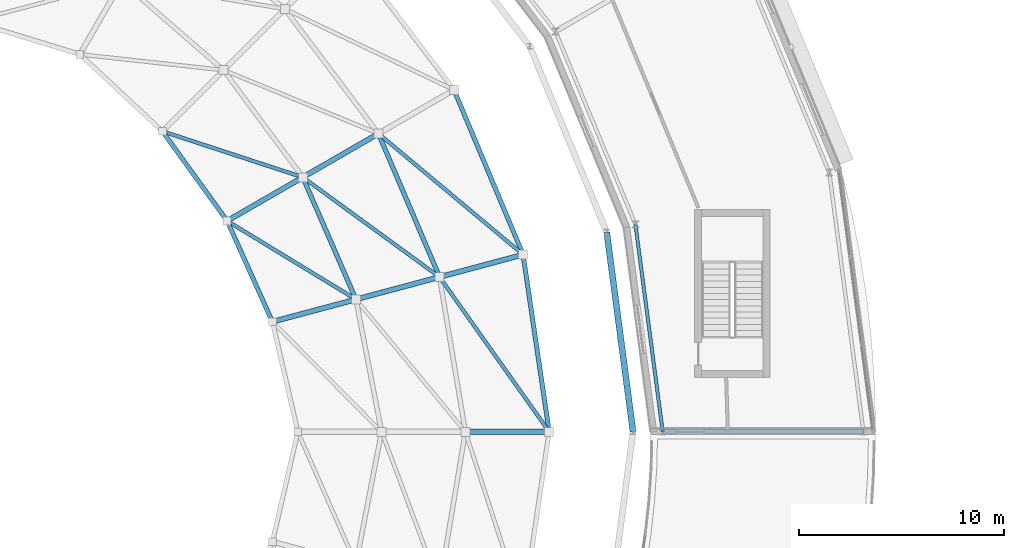
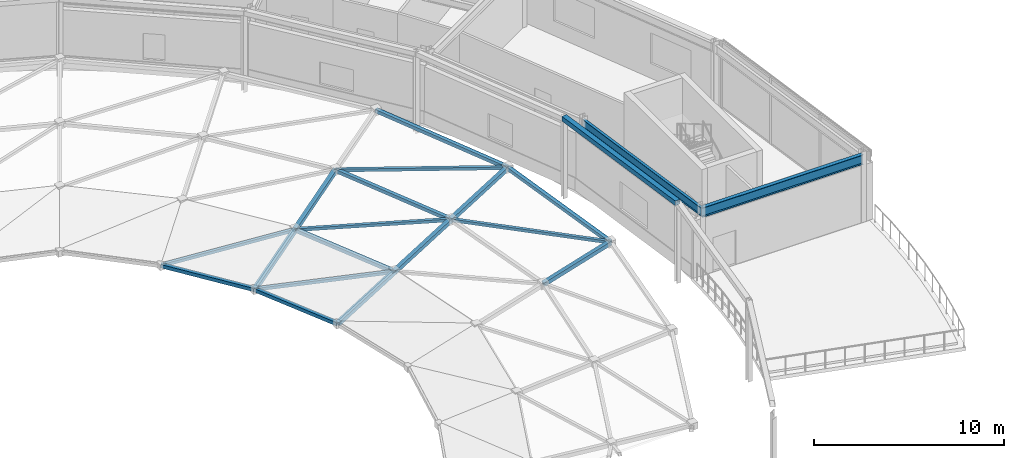
# One storey, part 18 of 89: 17 members, 3 beams.
"""IFC4 building model written with IfcOpenShell, lengths in metres."""

from ifc_helpers import new_model, si_unit, direction, frame, origin, origin_2d, place, context, subcontext, project, spatial, hollow_rectangle, i_section, extrude, material, material_profile, profile_set, type_object, element, save


model = new_model("IFC4")

# Units and contexts
model_context = context("Model", 3, precision=1e-05, world=origin(), true_north=direction((0.0, 1.0)))
body_context = subcontext(model_context, "Body", "Model", "MODEL_VIEW")
ifc_project = project(units=[si_unit("LENGTHUNIT", "METRE"), si_unit("AREAUNIT", "SQUARE_METRE"), si_unit("VOLUMEUNIT", "CUBIC_METRE"), si_unit("PLANEANGLEUNIT", "RADIAN"), si_unit("MASSUNIT", "GRAM", prefix="KILO")], contexts=[model_context])

# Site, building, storey
site_placement = place(None, origin())
site = spatial("IfcSite", under=ifc_project, at=site_placement, CompositionType="ELEMENT")
building_placement = place(site_placement, origin())
building = spatial("IfcBuilding", under=site, at=building_placement, Name="Almandine Court Research Institute", CompositionType="ELEMENT")
storey_placement = place(building_placement, frame((0.0, 0.0, 18.89990234375)))
storey = spatial("IfcBuildingStorey", under=building, at=storey_placement, Name="L04", CompositionType="ELEMENT", Elevation=18.89990234375)

# Beams
ifc_material_1 = material(Name="Steel ASTM A992 Grade 50", Category="steel")
ifc_material_profile_1 = material_profile(ifc_material_1, i_section(OverallWidth=0.22998046875, OverallDepth=0.616943359375, WebThickness=0.012939453125, FlangeThickness=0.02197265625, at=origin_2d()), Name="W610x140")
ifc_profile_set_1 = profile_set([ifc_material_profile_1], Name="Steel ASTM A992 Grade 50")
beam_type_1 = type_object("IfcBeamType", Name="Beam-G-02", PredefinedType="BEAM", material=ifc_profile_set_1)
beam_1_placement = place(storey_placement, frame((126.10009765625, 56.0, 4.0), z_axis=(1.0, 0.0, 0.0), x_axis=(0.0, 1.0, 0.0)))
element("IfcBeam", 1, at=beam_1_placement, inside=storey, type_object=beam_type_1, Name="L04 Drum Radial Girder 00", PredefinedType="BEAM", context=body_context, shape_type="SweptSolid", body=[
    extrude(i_section(OverallWidth=0.22998046875, OverallDepth=0.616943359375, WebThickness=0.012939453125, FlangeThickness=0.02197265625, at=origin_2d()), origin(), (0.0, 0.0, 1.0), 9.7998046875),
])
ifc_material_profile_2 = material_profile(ifc_material_1, i_section(OverallWidth=0.166015625, OverallDepth=0.534912109375, WebThickness=0.010009765625, FlangeThickness=0.01708984375, at=origin_2d()), Name="W530x85")
ifc_profile_set_2 = profile_set([ifc_material_profile_2], Name="Steel ASTM A992 Grade 50")
beam_type_2 = type_object("IfcBeamType", Name="Beam-G-05-E", PredefinedType="SPANDREL", material=ifc_profile_set_2)
beam_2_placement = place(storey_placement, frame((126.10009765625, 56.0, 4.041015625), z_axis=(-0.130496584681, 0.991448758831, 0.0), x_axis=(-0.991448758831, -0.130496584681, 0.0)))
element("IfcBeam", 2, at=beam_2_placement, inside=storey, type_object=beam_type_2, Name="L04 Drum IN Ring Beam 00", PredefinedType="SPANDREL", context=body_context, shape_type="SweptSolid", body=[
    extrude(i_section(OverallWidth=0.166015625, OverallDepth=0.534912109375, WebThickness=0.010009765625, FlangeThickness=0.01708984375, at=origin_2d()), origin(), (0.0, 0.0, 1.0), 10.20751953125),
])
ifc_material_2 = material(Name="Steel ASTM A500 Grade C", Category="steel")
ifc_material_profile_3 = material_profile(ifc_material_2, hollow_rectangle(XDim=0.300048828125, YDim=0.300048828125, WallThickness=0.011962890625, at=origin_2d()), Name="HSS 300x300x12")
ifc_profile_set_3 = profile_set([ifc_material_profile_3], Name="Steel ASTM A500 Grade C")
beam_type_3 = type_object("IfcBeamType", Name="Beam-RB-01-E", PredefinedType="BEAM", material=ifc_profile_set_3)
beam_3_placement = place(storey_placement, frame((124.64990234375, 56.0, 5.10009765625), z_axis=(-0.130525188913, 0.991444993461, 0.0), x_axis=(-0.991444993461, -0.130525188913, 0.0)))
element("IfcBeam", 3, at=beam_3_placement, inside=storey, type_object=beam_type_3, Name="Gridshell Outer Ring Beam ORB-01", PredefinedType="BEAM", context=body_context, shape_type="SweptSolid", body=[
    extrude(hollow_rectangle(XDim=0.300048828125, YDim=0.300048828125, WallThickness=0.011962890625, at=origin_2d()), origin(), (0.0, 0.0, 1.0), 9.8291015625),
])

# Members
ifc_material_profile_4 = material_profile(ifc_material_2, hollow_rectangle(XDim=0.25, YDim=0.25, WallThickness=0.010009765625, at=origin_2d()), Name="HSS 250x250x10")
ifc_profile_set_4 = profile_set([ifc_material_profile_4], Name="Steel ASTM A500 Grade C")
member_type_1 = type_object("IfcMemberType", Name="Mem-GS-AR1", PredefinedType="RAFTER", material=ifc_profile_set_4)
member_1_placement = place(storey_placement, frame((120.556884765625, 56.0, 3.9931640625), z_axis=(-0.955925607193, 0.0, -0.293608980639), x_axis=(0.0, -1.0, 0.0)))
element("IfcMember", 4, at=member_1_placement, inside=storey, type_object=member_type_1, Name="Atrium Conical Gridshell Radial Rib R1-S00", PredefinedType="RAFTER", context=body_context, shape_type="SweptSolid", body=[
    extrude(hollow_rectangle(XDim=0.25, YDim=0.25, WallThickness=0.010009765625, at=origin_2d()), origin(), (0.0, 0.0, 1.0), 4.281494140625),
])
member_2_placement = place(storey_placement, frame((119.284912109375, 64.65087890625, 3.9931640625), z_axis=(-0.925822235368, -0.248122573964, -0.285111165665), x_axis=(0.258866989029, -0.965912978478, 0.0)))
element("IfcMember", 5, at=member_2_placement, inside=storey, type_object=member_type_1, Name="Atrium Conical Gridshell Radial Rib R1-S01", PredefinedType="RAFTER", context=body_context, shape_type="SweptSolid", body=[
    extrude(hollow_rectangle(XDim=0.25, YDim=0.25, WallThickness=0.010009765625, at=origin_2d()), origin(), (0.0, 0.0, 1.0), 4.4091796875),
])
member_3_placement = place(storey_placement, frame((115.202880859375, 63.556884765625, 2.736083984375), z_axis=(-0.925782669721, -0.248186188634, -0.285184263619), x_axis=(0.258939233271, -0.965893613952, 0.0)))
element("IfcMember", 6, at=member_3_placement, inside=storey, type_object=member_type_1, Name="Atrium Conical Gridshell Radial Rib R2-S01", PredefinedType="RAFTER", context=body_context, shape_type="SweptSolid", body=[
    extrude(hollow_rectangle(XDim=0.25, YDim=0.25, WallThickness=0.010009765625, at=origin_2d()), origin(), (0.0, 0.0, 1.0), 4.407958984375),
])
member_4_placement = place(storey_placement, frame((112.218017578125, 70.56005859375, 2.736083984375), z_axis=(-0.830610507345, -0.479741125317, -0.282727143671), x_axis=(0.500146931843, -0.865940556025, 0.0)))
element("IfcMember", 7, at=member_4_placement, inside=storey, type_object=member_type_1, Name="Atrium Conical Gridshell Radial Rib R2-S02", PredefinedType="RAFTER", context=body_context, shape_type="SweptSolid", body=[
    extrude(hollow_rectangle(XDim=0.25, YDim=0.25, WallThickness=0.010009765625, at=origin_2d()), origin(), (0.0, 0.0, 1.0), 4.4462890625),
])
member_5_placement = place(storey_placement, frame((111.1220703125, 62.462890625, 1.47900390625), z_axis=(-0.925841938996, -0.247850987975, -0.285283353451), x_axis=(0.258597465656, -0.965985171085, 0.0)))
element("IfcMember", 8, at=member_5_placement, inside=storey, type_object=member_type_1, Name="Atrium Conical Gridshell Radial Rib R3-S01", PredefinedType="RAFTER", context=body_context, shape_type="SweptSolid", body=[
    extrude(hollow_rectangle(XDim=0.25, YDim=0.25, WallThickness=0.010009765625, at=origin_2d()), origin(), (0.0, 0.0, 1.0), 4.408935546875),
])
member_6_placement = place(storey_placement, frame((108.52490234375, 68.427001953125, 1.47900390625), z_axis=(-0.830710375587, -0.479484052214, -0.282869785527), x_axis=(0.499900842016, -0.866082645105, 0.0)))
element("IfcMember", 9, at=member_6_placement, inside=storey, type_object=member_type_1, Name="Atrium Conical Gridshell Radial Rib R3-S02", PredefinedType="RAFTER", context=body_context, shape_type="SweptSolid", body=[
    extrude(hollow_rectangle(XDim=0.25, YDim=0.25, WallThickness=0.010009765625, at=origin_2d()), origin(), (0.0, 0.0, 1.0), 4.446533203125),
])
ifc_material_profile_5 = material_profile(ifc_material_2, hollow_rectangle(XDim=0.179931640625, YDim=0.179931640625, WallThickness=0.008056640625, at=origin_2d()), Name="HSS 180x180x8")
ifc_profile_set_5 = profile_set([ifc_material_profile_5], Name="Steel ASTM A500 Grade C")
member_type_2 = type_object("IfcMemberType", Name="Mem-GS-BR1", PredefinedType="BRACE", material=ifc_profile_set_5)
member_7_placement = place(storey_placement, frame((120.556884765625, 56.0, 3.9931640625), z_axis=(-0.572851388472, 0.80854851926, -0.134501222036), x_axis=(-0.815962824427, -0.578104375656, 0.0)))
element("IfcMember", 10, at=member_7_placement, inside=storey, type_object=member_type_2, Name="Atrium Conical Gridshell Diagonal Brace R1-S00", PredefinedType="BRACE", context=body_context, shape_type="SweptSolid", body=[
    extrude(hollow_rectangle(XDim=0.179931640625, YDim=0.179931640625, WallThickness=0.008056640625, at=origin_2d()), origin(), (0.0, 0.0, 1.0), 9.34619140625),
])
member_8_placement = place(storey_placement, frame((119.284912109375, 64.65087890625, 3.9931640625), z_axis=(-0.760102396588, 0.635580681511, -0.135209260003), x_axis=(-0.641471270586, -0.76714705827, 0.0)))
element("IfcMember", 11, at=member_8_placement, inside=storey, type_object=member_type_2, Name="Atrium Conical Gridshell Diagonal Brace R1-S01", PredefinedType="BRACE", context=body_context, shape_type="SweptSolid", body=[
    extrude(hollow_rectangle(XDim=0.179931640625, YDim=0.179931640625, WallThickness=0.008056640625, at=origin_2d()), origin(), (0.0, 0.0, 1.0), 9.29736328125),
])
member_9_placement = place(storey_placement, frame((115.202880859375, 63.556884765625, 2.736083984375), z_axis=(-0.798777892473, 0.582532862906, -0.150364032038), x_axis=(-0.589232019432, -0.807963877457, 0.0)))
element("IfcMember", 12, at=member_9_placement, inside=storey, type_object=member_type_2, Name="Atrium Conical Gridshell Diagonal Brace R2-S01", PredefinedType="BRACE", context=body_context, shape_type="SweptSolid", body=[
    extrude(hollow_rectangle(XDim=0.179931640625, YDim=0.179931640625, WallThickness=0.008056640625, at=origin_2d()), origin(), (0.0, 0.0, 1.0), 8.3603515625),
])
member_10_placement = place(storey_placement, frame((111.1220703125, 62.462890625, 1.47900390625), z_axis=(-0.841849983896, 0.512794060355, -0.168317724194), x_axis=(-0.520216089799, -0.854034671377, 0.0)))
element("IfcMember", 13, at=member_10_placement, inside=storey, type_object=member_type_2, Name="Atrium Conical Gridshell Diagonal Brace R3-S01", PredefinedType="BRACE", context=body_context, shape_type="SweptSolid", body=[
    extrude(hollow_rectangle(XDim=0.179931640625, YDim=0.179931640625, WallThickness=0.008056640625, at=origin_2d()), origin(), (0.0, 0.0, 1.0), 7.472900390625),
])
member_11_placement = place(storey_placement, frame((108.52490234375, 68.427001953125, 1.47900390625), z_axis=(-0.936288068014, 0.306349400984, -0.171798423193), x_axis=(-0.310972907606, -0.950418776506, 0.0)))
element("IfcMember", 14, at=member_11_placement, inside=storey, type_object=member_type_2, Name="Atrium Conical Gridshell Diagonal Brace R3-S02", PredefinedType="BRACE", context=body_context, shape_type="SweptSolid", body=[
    extrude(hollow_rectangle(XDim=0.179931640625, YDim=0.179931640625, WallThickness=0.008056640625, at=origin_2d()), origin(), (0.0, 0.0, 1.0), 7.321533203125),
])
ifc_material_profile_6 = material_profile(ifc_material_2, hollow_rectangle(XDim=0.219970703125, YDim=0.219970703125, WallThickness=0.010009765625, at=origin_2d()), Name="HSS 220x220x10")
ifc_profile_set_6 = profile_set([ifc_material_profile_6], Name="Steel ASTM A500 Grade C")
member_type_3 = type_object("IfcMemberType", Name="Mem-GS-ST1", PredefinedType="COLLAR", material=ifc_profile_set_6)
member_12_placement = place(storey_placement, frame((120.556884765625, 56.0, 3.9931640625), z_axis=(-0.145469875543, 0.989362681381, 0.0), x_axis=(-0.989362681381, -0.145469875543, 0.0)))
element("IfcMember", 15, at=member_12_placement, inside=storey, type_object=member_type_3, Name="Atrium Conical Gridshell Hoop Ring R1-S00", PredefinedType="COLLAR", context=body_context, shape_type="SweptSolid", body=[
    extrude(hollow_rectangle(XDim=0.219970703125, YDim=0.219970703125, WallThickness=0.010009765625, at=origin_2d()), origin(), (0.0, 0.0, 1.0), 8.743896484375),
])
member_13_placement = place(storey_placement, frame((119.284912109375, 64.65087890625, 3.9931640625), z_axis=(-0.386801181098, 0.922163134321, 0.0), x_axis=(-0.922163134321, -0.386801181098, 0.0)))
element("IfcMember", 16, at=member_13_placement, inside=storey, type_object=member_type_3, Name="Atrium Conical Gridshell Hoop Ring R1-S01", PredefinedType="COLLAR", context=body_context, shape_type="SweptSolid", body=[
    extrude(hollow_rectangle(XDim=0.219970703125, YDim=0.219970703125, WallThickness=0.010009765625, at=origin_2d()), origin(), (0.0, 0.0, 1.0), 8.7197265625),
])
member_14_placement = place(storey_placement, frame((115.202880859375, 63.556884765625, 2.736083984375), z_axis=(-0.392087762798, 0.91992781579, 0.0), x_axis=(-0.91992781579, -0.392087762798, 0.0)))
element("IfcMember", 17, at=member_14_placement, inside=storey, type_object=member_type_3, Name="Atrium Conical Gridshell Hoop Ring R2-S01", PredefinedType="COLLAR", context=body_context, shape_type="SweptSolid", body=[
    extrude(hollow_rectangle(XDim=0.219970703125, YDim=0.219970703125, WallThickness=0.010009765625, at=origin_2d()), origin(), (0.0, 0.0, 1.0), 7.61279296875),
])
member_15_placement = place(storey_placement, frame((111.1220703125, 62.462890625, 1.47900390625), z_axis=(-0.399253028635, 0.916840781775, 0.0), x_axis=(-0.916840781775, -0.399253028635, 0.0)))
element("IfcMember", 18, at=member_15_placement, inside=storey, type_object=member_type_3, Name="Atrium Conical Gridshell Hoop Ring R3-S01", PredefinedType="COLLAR", context=body_context, shape_type="SweptSolid", body=[
    extrude(hollow_rectangle(XDim=0.219970703125, YDim=0.219970703125, WallThickness=0.010009765625, at=origin_2d()), origin(), (0.0, 0.0, 1.0), 6.505126953125),
])
for number, where, z_axis, x_axis, name in (
    (19, (107.0400390625, 61.3701171875, 0.22119140625), (-0.409258497227, 0.912418479892, 0.0), (-0.912418479892, -0.409258497227, 0.0), "Atrium Conical Gridshell Hoop Ring R4-S01"),
    (20, (104.8310546875, 66.294921875, 0.22119140625), (-0.585662293375, 0.810555166611, 0.0), (-0.810555166611, -0.585662293375, 0.0), "Atrium Conical Gridshell Hoop Ring R4-S02"),
):
    element("IfcMember", number, at=place(storey_placement, frame(where, z_axis=z_axis, x_axis=x_axis)), inside=storey, type_object=member_type_3, Name=name, PredefinedType="COLLAR", context=body_context, shape_type="SweptSolid", body=[
        extrude(hollow_rectangle(XDim=0.219970703125, YDim=0.219970703125, WallThickness=0.010009765625, at=origin_2d()), origin(), (0.0, 0.0, 1.0), 5.3974609375),
    ])

save(model, "model.ifc")
